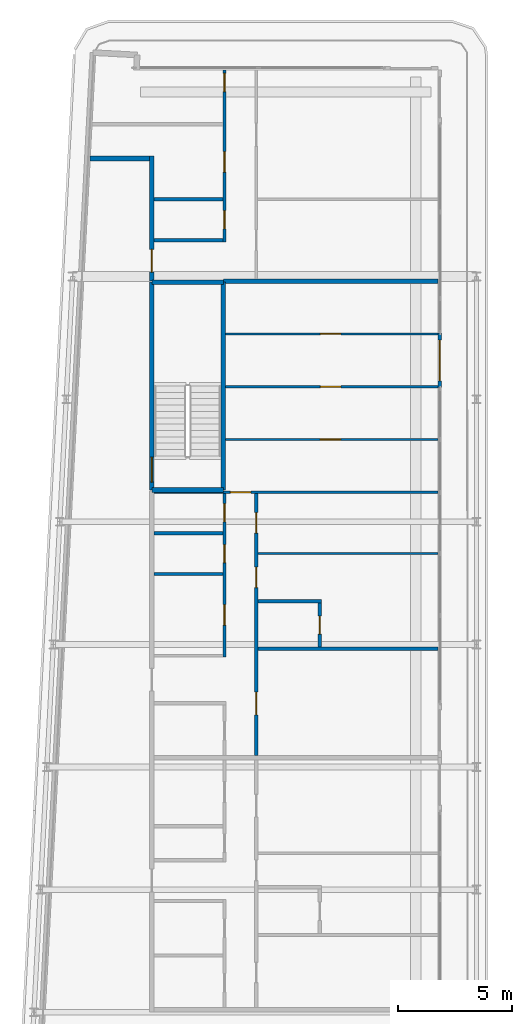
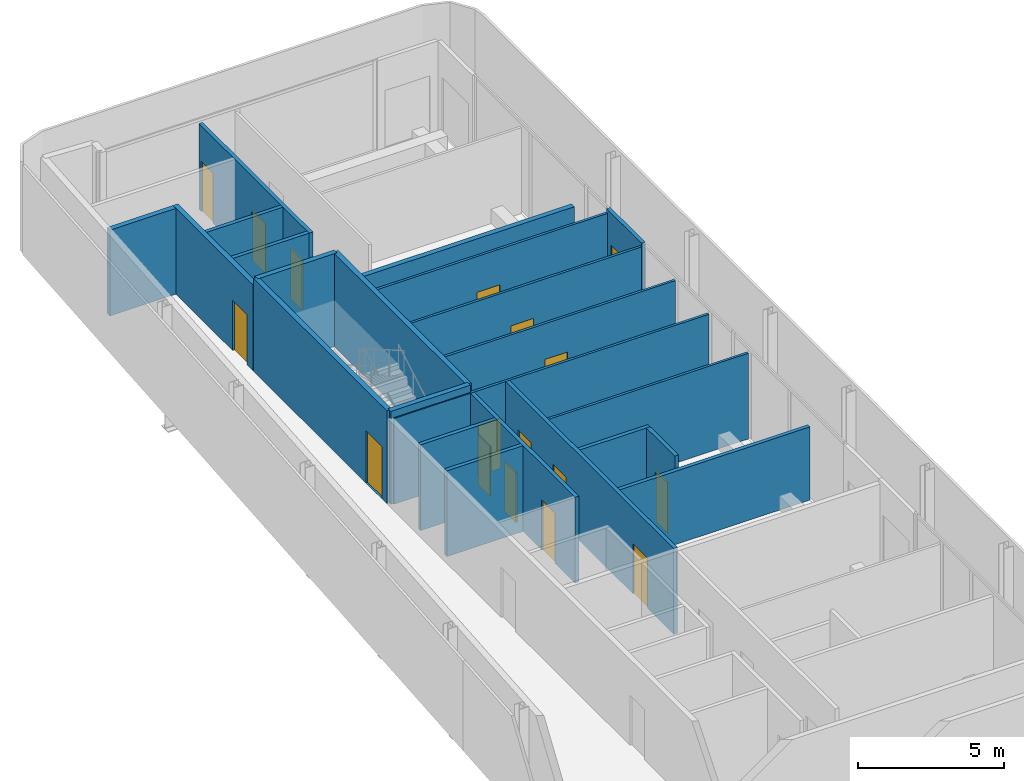
# One storey, part 11 of 18: 23 walls, 17 doors, 17 openings.
"""IFC4 building model written with IfcOpenShell, lengths in metres."""

import ifcopenshell
import ifcopenshell.guid

model = None  # the IFC model being written
_history = None  # IfcOwnerHistory: only IFC2X3 demands one
_inside = {}  # id of a spatial element -> (the spatial element, [elements in it])
_under = {}  # id of a project, library or spatial element -> (it, [spatial elements below it])
_declared = {}  # id of a project -> (the project, [libraries it declares])
_typed = {}  # id of a type object -> (the type object, [elements of that type])
_made_of = {}  # id of a material, layer set ... -> (it, [elements and type objects made of it])


def new_model(schema):
    """Start an empty IFC model of exactly this schema.

    Asked for "IFC4X3", IfcOpenShell would pick the latest addendum, in which some entities
    have other attributes; the version numbers below select the first issue.
    IFC2X3 requires an IfcOwnerHistory on every rooted entity: one is made here for all.
    """
    global model, _history
    if schema == "IFC4X3":
        model = ifcopenshell.file(schema_version=(4, 3, 0, 0))
    else:
        model = ifcopenshell.file(schema=schema)
    _inside.clear()
    _under.clear()
    _declared.clear()
    _typed.clear()
    _made_of.clear()
    _history = None
    if model.schema == "IFC2X3":
        org = make("IfcOrganization", Name="unknown")
        user = make(
            "IfcPersonAndOrganization",
            ThePerson=make("IfcPerson", FamilyName="unknown"),
            TheOrganization=org,
        )
        app = make(
            "IfcApplication",
            ApplicationDeveloper=org,
            Version="unknown",
            ApplicationFullName="unknown",
            ApplicationIdentifier="unknown",
        )
        _history = make(
            "IfcOwnerHistory",
            OwningUser=user,
            OwningApplication=app,
            ChangeAction="ADDED",
            CreationDate=0,
        )
    return model


def make(cls, **values):
    """One entity of the class cls with the attributes given. An attribute that is None is left unset."""
    return model.create_entity(
        cls, **{name: value for name, value in values.items() if value is not None}
    )


def rooted(cls, **values):
    """An entity with a GlobalId (a new one), such as an element, a storey or a relation."""
    return make(cls, GlobalId=ifcopenshell.guid.new(), OwnerHistory=_history, **values)


def si_unit(unit_type, name, prefix=None):
    """IfcSIUnit, for example si_unit("LENGTHUNIT", "METRE", prefix="MILLI")."""
    return make("IfcSIUnit", UnitType=unit_type, Prefix=prefix, Name=name)


def assignment(units):
    """IfcUnitAssignment: the units of a project."""
    return None if units is None else make("IfcUnitAssignment", Units=units)


def point(xyz):
    """IfcCartesianPoint."""
    return None if xyz is None else make("IfcCartesianPoint", Coordinates=xyz)


def direction(xyz):
    """IfcDirection."""
    return None if xyz is None else make("IfcDirection", DirectionRatios=xyz)


def frame(location, z_axis=None, x_axis=None):
    """IfcAxis2Placement3D, a coordinate frame: its origin and axes. An axis left out is left unset."""
    return make(
        "IfcAxis2Placement3D",
        Location=point(location),
        Axis=direction(z_axis),
        RefDirection=direction(x_axis),
    )


def frame_2d(location, x_axis=None):
    """IfcAxis2Placement2D, a coordinate frame in the plane: its origin and x axis."""
    return make(
        "IfcAxis2Placement2D", Location=point(location), RefDirection=direction(x_axis)
    )


def origin():
    """The frame at (0, 0, 0) with its axes left unset."""
    return frame((0.0, 0.0, 0.0))


def place(relative_to, where):
    """IfcLocalPlacement: puts the frame where relative to a parent placement (None: the world)."""
    return make(
        "IfcLocalPlacement", PlacementRelTo=relative_to, RelativePlacement=where
    )


def context(
    kind, dimensions, precision=None, world=None, true_north=None, identifier=None
):
    """IfcGeometricRepresentationContext, for example the 3D "Model" context."""
    return make(
        "IfcGeometricRepresentationContext",
        ContextIdentifier=identifier,
        ContextType=kind,
        CoordinateSpaceDimension=dimensions,
        Precision=precision,
        WorldCoordinateSystem=world,
        TrueNorth=true_north,
    )


def subcontext(parent, identifier, kind, view, scale=None):
    """IfcGeometricRepresentationSubContext, for example "Body" below "Model"."""
    return make(
        "IfcGeometricRepresentationSubContext",
        ContextIdentifier=identifier,
        ContextType=kind,
        ParentContext=parent,
        TargetScale=scale,
        TargetView=view,
    )


def project(units=None, contexts=None):
    """IfcProject with its units and contexts."""
    return rooted(
        "IfcProject",
        Name="project",
        RepresentationContexts=contexts,
        UnitsInContext=assignment(units),
    )


def spatial(cls, under=None, at=None, **own):
    """A site, building, storey or space (cls), placed at a placement, below another one or the project."""
    s = rooted(cls, ObjectPlacement=at, **own)
    if under is not None:
        _under.setdefault(under.id(), (under, []))[1].append(s)
    return s


def profile(cls, at=None, kind="AREA", **sizes):
    """A parametric profile (cls). Its sizes go by their IFC names, for example OverallWidth=200.0."""
    return make(cls, ProfileType=kind, Position=at, **sizes)


def rectangle(**sizes):
    """IfcRectangleProfileDef."""
    return profile("IfcRectangleProfileDef", **sizes)


def extrude(swept, where, along, depth):
    """IfcExtrudedAreaSolid: the profile swept, set in the frame where, extruded along a direction by depth."""
    return make(
        "IfcExtrudedAreaSolid",
        SweptArea=swept,
        Position=where,
        ExtrudedDirection=direction(along),
        Depth=depth,
    )


def shape(context_of_items, identifier, shape_type, items):
    """IfcShapeRepresentation: the items that make up one representation, for example the "Body"."""
    return make(
        "IfcShapeRepresentation",
        ContextOfItems=context_of_items,
        RepresentationIdentifier=identifier,
        RepresentationType=shape_type,
        Items=items,
    )


def source(mapping_origin, context_of_items, identifier, shape_type, items):
    """IfcRepresentationMap: a shape defined once, which mapped items show again and again."""
    return make(
        "IfcRepresentationMap",
        MappingOrigin=mapping_origin,
        MappedRepresentation=shape(context_of_items, identifier, shape_type, items),
    )


def transform(
    local_origin,
    x_axis=None,
    y_axis=None,
    z_axis=None,
    scale=None,
    scale2=None,
    scale3=None,
    uniform=True,
):
    """IfcCartesianTransformationOperator3D, or its non-uniform kind. x_axis, y_axis, z_axis: its Axis1, 2, 3."""
    if uniform:
        return make(
            "IfcCartesianTransformationOperator3D",
            Axis1=direction(x_axis),
            Axis2=direction(y_axis),
            LocalOrigin=point(local_origin),
            Scale=scale,
            Axis3=direction(z_axis),
        )
    return make(
        "IfcCartesianTransformationOperator3DnonUniform",
        Axis1=direction(x_axis),
        Axis2=direction(y_axis),
        LocalOrigin=point(local_origin),
        Scale=scale,
        Axis3=direction(z_axis),
        Scale2=scale2,
        Scale3=scale3,
    )


def mapped(mapping_source, mapping_target):
    """IfcMappedItem: shows the shape of a source again, moved by a transform."""
    return make(
        "IfcMappedItem", MappingSource=mapping_source, MappingTarget=mapping_target
    )


def material(Name=None, Category=None):
    """IfcMaterial."""
    return make("IfcMaterial", Name=Name, Category=Category)


def layer(
    of_material, thickness, ventilated=None, Name=None, Category=None, Priority=None
):
    """IfcMaterialLayer: one layer of a wall or slab, of a material (None: an air gap)."""
    return make(
        "IfcMaterialLayer",
        Material=of_material,
        LayerThickness=thickness,
        IsVentilated=ventilated,
        Name=Name,
        Category=Category,
        Priority=Priority,
    )


def layer_set(layers, Name=None):
    """IfcMaterialLayerSet."""
    return make("IfcMaterialLayerSet", MaterialLayers=layers, LayerSetName=Name)


def made_of(thing, what):
    """Note that an element or type object is made of a material, layer set ...; save() writes the relation."""
    if what is not None:
        _made_of.setdefault(what.id(), (what, []))[1].append(thing)
    return thing


def type_object(cls, material=None, **own):
    """A type object (cls), such as IfcWallType, which elements share."""
    return made_of(rooted(cls, **own), material)


def element(
    cls,
    number,
    at=None,
    inside=None,
    cuts=None,
    type_object=None,
    material=None,
    context=None,
    identifier="Body",
    shape_type=None,
    held_by="IfcProductDefinitionShape",
    body=None,
    shapes=None,
    **own,
):
    """One element of the class cls, such as IfcWall. Its Tag is "e" and its number.

    at: its placement. inside: the storey or other place that contains it. cuts: it is an
    opening in that element (IfcRelVoidsElement). A single representation is given by context,
    identifier, shape_type and body (its items); several are given by shapes. held_by: the class
    of the entity that holds the representations. save() writes the other relations.
    """
    e = rooted(cls, Tag="e%d" % number, ObjectPlacement=at, **own)
    if body is not None:
        shapes = [shape(context, identifier, shape_type, body)]
    if shapes is not None:
        e.Representation = make(held_by, Representations=shapes)
    if inside is not None:
        _inside.setdefault(inside.id(), (inside, []))[1].append(e)
    if cuts is not None:
        rooted(
            "IfcRelVoidsElement", RelatingBuildingElement=cuts, RelatedOpeningElement=e
        )
    if type_object is not None:
        _typed.setdefault(type_object.id(), (type_object, []))[1].append(e)
    return made_of(e, material)


def fill(opening, filler):
    """IfcRelFillsElement: the door or window that sits in an opening."""
    return rooted(
        "IfcRelFillsElement",
        RelatingOpeningElement=opening,
        RelatedBuildingElement=filler,
    )


def aggregate(whole, parts):
    """IfcRelAggregates: a whole, such as a stair, and the parts it consists of."""
    return rooted("IfcRelAggregates", RelatingObject=whole, RelatedObjects=parts)


def save(model, path):
    """Write the relations noted so far, then the file.

    IfcRelAggregates (storeys below a building ...), IfcRelContainedInSpatialStructure (elements
    in a storey), IfcRelDefinesByType, IfcRelAssociatesMaterial and IfcRelDeclares: one each for
    every whole, place, type object, material and project.
    """
    for whole, parts in _under.values():
        aggregate(whole, parts)
    for where, things in _inside.values():
        rooted(
            "IfcRelContainedInSpatialStructure",
            RelatedElements=things,
            RelatingStructure=where,
        )
    for kind, things in _typed.values():
        rooted("IfcRelDefinesByType", RelatedObjects=things, RelatingType=kind)
    for what, things in _made_of.values():
        rooted("IfcRelAssociatesMaterial", RelatedObjects=things, RelatingMaterial=what)
    for by, libraries in _declared.values():
        rooted("IfcRelDeclares", RelatingContext=by, RelatedDefinitions=libraries)
    model.write(path)


model = new_model("IFC4")

# Units and contexts
model_context = context("Model", 3, precision=1e-05, world=origin(), true_north=direction((0.0, 1.0)))
body_context = subcontext(model_context, "Body", "Model", "MODEL_VIEW")
ifc_project = project(units=[si_unit("LENGTHUNIT", "METRE"), si_unit("AREAUNIT", "SQUARE_METRE"), si_unit("VOLUMEUNIT", "CUBIC_METRE"), si_unit("PLANEANGLEUNIT", "RADIAN"), si_unit("MASSUNIT", "GRAM", prefix="KILO")], contexts=[model_context])

# Site, building, storey
site_placement = place(None, origin())
site = spatial("IfcSite", under=ifc_project, at=site_placement, CompositionType="ELEMENT")
building_placement = place(site_placement, origin())
building = spatial("IfcBuilding", under=site, at=building_placement, Name="Kheshtan School and Residences Tower", CompositionType="ELEMENT")
storey_placement = place(building_placement, frame((0.0, 0.0, 377.300048828125)))
storey = spatial("IfcBuildingStorey", under=building, at=storey_placement, Name="L89", CompositionType="ELEMENT", Elevation=377.300048828125)

# Wall
ifc_material_1 = material(Name="Gypsum board on steel studs with fire boards", Category="steel")
ifc_layer_1 = layer(ifc_material_1, 0.199951171875)
ifc_layer_set_1 = layer_set([ifc_layer_1], Name="Corridor wall 200")
wall_type_1 = type_object("IfcWallType", Name="Corridor wall 200", PredefinedType="PARTITIONING", material=ifc_layer_set_1)
wall_1_placement = place(storey_placement, frame((30.584716796875, 94.0, 0.0), z_axis=(0.0, 0.0, 1.0), x_axis=(1.0, 0.0, 0.0)))
element("IfcWall", 1, at=wall_1_placement, inside=storey, type_object=wall_type_1, Name="Partition L89-002", PredefinedType="PARTITIONING", context=body_context, shape_type="SweptSolid", body=[
    extrude(rectangle(XDim=2.615234375, YDim=0.199951171875, at=frame_2d((1.3076171875, 0.0))), origin(), (0.0, 0.0, 1.0), 3.599853515625),
])

# Wall, opening, door
wall_2_placement = place(storey_placement, frame((33.300048828125, 88.60009765625, 0.0), z_axis=(0.0, 0.0, 1.0), x_axis=(0.0, 1.0, 0.0)))
wall_2 = element("IfcWall", 2, at=wall_2_placement, inside=storey, type_object=wall_type_1, Name="Partition L89-004", PredefinedType="PARTITIONING", context=body_context, shape_type="SweptSolid", body=[
    extrude(rectangle(XDim=5.5, YDim=0.199951171875, at=frame_2d((2.75, 0.0))), origin(), (0.0, 0.0, 1.0), 3.599853515625),
])
opening_1_placement = place(wall_2_placement, frame((0.39990234375, 0.0, 0.0)))
opening_1 = element("IfcOpeningElement", 3, at=opening_1_placement, cuts=wall_2, Name="Opening D87-025", PredefinedType="OPENING", context=body_context, shape_type="SweptSolid", body=[
    extrude(rectangle(XDim=1.0, YDim=2.10009765625, at=frame_2d((0.5, 1.050048828125))), frame((0.0, 0.10986328125, 0.0), z_axis=(0.0, -1.0, 0.0), x_axis=(1.0, 0.0, 0.0)), (0.0, 0.0, 1.0), 0.219970703125),
])
ifc_material_2 = material(Name="Steel-framed fire-resisting door leaf", Category="steel")
door_type_1 = type_object("IfcDoorType", Name="Fire door FD30S 1000 x 2100", OperationType="SINGLE_SWING_LEFT", PredefinedType="DOOR", material=ifc_material_2)
shared_shape_1 = source(origin(), body_context, "Body", "SweptSolid", [
    extrude(rectangle(XDim=1.0, YDim=2.10009765625, at=frame_2d((0.5, 1.050048828125))), frame((0.0, 0.02490234375, 0.0), z_axis=(0.0, -1.0, 0.0), x_axis=(1.0, 0.0, 0.0)), (0.0, 0.0, 1.0), 0.050048828125),
])
door_1_placement = place(opening_1_placement, origin())
door_1 = element("IfcDoor", 4, at=door_1_placement, inside=storey, type_object=door_type_1, Name="Door D87-025", OperationType="SINGLE_SWING_LEFT", OverallHeight=2.10009765625, OverallWidth=1.0, PredefinedType="DOOR", context=body_context, shape_type="MappedRepresentation", body=[
    mapped(shared_shape_1, transform((0.0, 0.0, 0.0), x_axis=(1.0, 0.0, 0.0), y_axis=(0.0, 1.0, 0.0), z_axis=(0.0, 0.0, 1.0), scale=1.0)),
])
fill(opening_1, door_1)

ifc_material_3 = material(Name="Aluminium frame wall with insulated infill", Category="aluminium")
ifc_layer_2 = layer(ifc_material_3, 0.14990234375)
ifc_layer_set_2 = layer_set([ifc_layer_2], Name="Glazing frame wall 150")
wall_type_2 = type_object("IfcWallType", Name="Glazing frame wall 150", PredefinedType="SOLIDWALL", material=ifc_layer_set_2)
wall_3_placement = place(storey_placement, frame((45.97509765625, 86.305908203125, 0.0), z_axis=(0.0, 0.0, 1.0), x_axis=(0.0, -1.0, 0.0)))
wall_3 = element("IfcWall", 5, at=wall_3_placement, inside=storey, type_object=wall_type_2, Name="Balcony door wall L89 8.2", PredefinedType="SOLIDWALL", context=body_context, shape_type="SweptSolid", body=[
    extrude(rectangle(XDim=2.39990234375, YDim=0.14990234375, at=frame_2d((1.199951171875, 0.0))), origin(), (0.0, 0.0, 1.0), 3.75),
])
opening_2_placement = place(wall_3_placement, frame((0.300048828125, 0.0, 0.0)))
opening_2 = element("IfcOpeningElement", 6, at=opening_2_placement, cuts=wall_3, Name="Opening BD", PredefinedType="OPENING", context=body_context, shape_type="SweptSolid", body=[
    extrude(rectangle(XDim=1.800048828125, YDim=2.39990234375, at=frame_2d((0.89990234375, 1.199951171875))), frame((0.0, 0.0849609375, 0.0), z_axis=(0.0, -1.0, 0.0), x_axis=(1.0, 0.0, 0.0)), (0.0, 0.0, 1.0), 0.169921875),
])
ifc_material_4 = material(Name="Clear low-e glass in thermally broken aluminium frame", Category="aluminium")
door_type_2 = type_object("IfcDoorType", Name="Balcony sliding door", OperationType="SLIDING_TO_LEFT", PredefinedType="DOOR", material=ifc_material_4)
shared_shape_2 = source(origin(), body_context, "Body", "SweptSolid", [
    extrude(rectangle(XDim=1.800048828125, YDim=2.39990234375, at=frame_2d((0.89990234375, 1.199951171875))), frame((0.0, 0.02490234375, 0.0), z_axis=(0.0, -1.0, 0.0), x_axis=(1.0, 0.0, 0.0)), (0.0, 0.0, 1.0), 0.050048828125),
])
door_2_placement = place(opening_2_placement, origin())
door_2 = element("IfcDoor", 7, at=door_2_placement, inside=storey, type_object=door_type_2, Name="Balcony door L89 8.2", OperationType="SLIDING_TO_LEFT", OverallHeight=2.39990234375, OverallWidth=1.800048828125, PredefinedType="DOOR", context=body_context, shape_type="MappedRepresentation", body=[
    mapped(shared_shape_2, transform((0.0, 0.0, 0.0), x_axis=(1.0, 0.0, 0.0), y_axis=(0.0, 1.0, 0.0), z_axis=(0.0, 0.0, 1.0), scale=1.0)),
])
fill(opening_2, door_2)

ifc_material_5 = material(Name="Gypsum board on steel studs", Category="steel")
ifc_layer_3 = layer(ifc_material_5, 0.10009765625)
ifc_layer_set_3 = layer_set([ifc_layer_3], Name="Gypsum partition 100")
wall_type_3 = type_object("IfcWallType", Name="Gypsum partition 100", PredefinedType="PARTITIONING", material=ifc_layer_set_3)
wall_4_placement = place(storey_placement, frame((33.39990234375, 79.300048828125, 0.0), z_axis=(0.0, 0.0, 1.0), x_axis=(1.0, 0.0, 0.0)))
wall_4 = element("IfcWall", 8, at=wall_4_placement, inside=storey, type_object=wall_type_3, Name="Partition L89-015", PredefinedType="PARTITIONING", context=body_context, shape_type="SweptSolid", body=[
    extrude(rectangle(XDim=12.5, YDim=0.10009765625, at=frame_2d((6.25, 0.0))), origin(), (0.0, 0.0, 1.0), 3.599853515625),
])
opening_3_placement = place(wall_4_placement, frame((3.35498046875, 0.0, 0.0)))
opening_3 = element("IfcOpeningElement", 9, at=opening_3_placement, cuts=wall_4, Name="Opening D87-019", PredefinedType="OPENING", context=body_context, shape_type="SweptSolid", body=[
    extrude(rectangle(XDim=0.89990234375, YDim=2.10009765625, at=frame_2d((0.449951171875, 1.050048828125))), frame((0.0, 0.06005859375, 0.0), z_axis=(0.0, -1.0, 0.0), x_axis=(1.0, 0.0, 0.0)), (0.0, 0.0, 1.0), 0.1201171875),
])
ifc_material_6 = material(Name="Veneered timber door leaf", Category="wood")
door_type_3 = type_object("IfcDoorType", Name="Door 900 x 2100", OperationType="SINGLE_SWING_LEFT", PredefinedType="DOOR", material=ifc_material_6)
shared_shape_3 = source(origin(), body_context, "Body", "SweptSolid", [
    extrude(rectangle(XDim=0.89990234375, YDim=2.10009765625, at=frame_2d((0.449951171875, 1.050048828125))), frame((0.0, 0.02490234375, 0.0), z_axis=(0.0, -1.0, 0.0), x_axis=(1.0, 0.0, 0.0)), (0.0, 0.0, 1.0), 0.050048828125),
])
door_3_placement = place(opening_3_placement, origin())
door_3 = element("IfcDoor", 10, at=door_3_placement, inside=storey, type_object=door_type_3, Name="Door D87-019", OperationType="SINGLE_SWING_LEFT", OverallHeight=2.10009765625, OverallWidth=0.89990234375, PredefinedType="DOOR", context=body_context, shape_type="MappedRepresentation", body=[
    mapped(shared_shape_3, transform((0.0, 0.0, 0.0), x_axis=(1.0, 0.0, 0.0), y_axis=(0.0, 1.0, 0.0), z_axis=(0.0, 0.0, 1.0), scale=1.0)),
])
fill(opening_3, door_3)

wall_5_placement = place(storey_placement, frame((36.549072265625, 81.625, 0.0), z_axis=(0.0, 0.0, 1.0), x_axis=(1.0, 0.0, 0.0)))
wall_5 = element("IfcWall", 11, at=wall_5_placement, inside=storey, type_object=wall_type_3, Name="Partition L89-025", PredefinedType="PARTITIONING", context=body_context, shape_type="SweptSolid", body=[
    extrude(rectangle(XDim=9.350830078125, YDim=0.10009765625, at=frame_2d((4.67529296875, 0.0))), origin(), (0.0, 0.0, 1.0), 3.599853515625),
])
opening_4_placement = place(wall_5_placement, frame((4.176025390625, 0.0, 0.0)))
opening_4 = element("IfcOpeningElement", 12, at=opening_4_placement, cuts=wall_5, Name="Opening D87-020", PredefinedType="OPENING", context=body_context, shape_type="SweptSolid", body=[
    extrude(rectangle(XDim=0.89990234375, YDim=2.10009765625, at=frame_2d((0.449951171875, 1.050048828125))), frame((0.0, 0.06005859375, 0.0), z_axis=(0.0, -1.0, 0.0), x_axis=(1.0, 0.0, 0.0)), (0.0, 0.0, 1.0), 0.1201171875),
])
door_4_placement = place(opening_4_placement, origin())
door_4 = element("IfcDoor", 13, at=door_4_placement, inside=storey, type_object=door_type_3, Name="Door D87-020", OperationType="SINGLE_SWING_RIGHT", OverallHeight=2.10009765625, OverallWidth=0.89990234375, PredefinedType="DOOR", context=body_context, shape_type="MappedRepresentation", body=[
    mapped(shared_shape_3, transform((0.0, 0.0, 0.0), x_axis=(1.0, 0.0, 0.0), y_axis=(0.0, 1.0, 0.0), z_axis=(0.0, 0.0, 1.0), scale=1.0)),
])
fill(opening_4, door_4)

wall_6_placement = place(storey_placement, frame((36.549072265625, 83.949951171875, 0.0), z_axis=(0.0, 0.0, 1.0), x_axis=(1.0, 0.0, 0.0)))
wall_6 = element("IfcWall", 14, at=wall_6_placement, inside=storey, type_object=wall_type_3, Name="Partition L89-026", PredefinedType="PARTITIONING", context=body_context, shape_type="SweptSolid", body=[
    extrude(rectangle(XDim=9.350830078125, YDim=0.10009765625, at=frame_2d((4.67529296875, 0.0))), origin(), (0.0, 0.0, 1.0), 3.599853515625),
])
opening_5_placement = place(wall_6_placement, frame((4.176025390625, 0.0, 0.0)))
opening_5 = element("IfcOpeningElement", 15, at=opening_5_placement, cuts=wall_6, Name="Opening D87-021", PredefinedType="OPENING", context=body_context, shape_type="SweptSolid", body=[
    extrude(rectangle(XDim=0.89990234375, YDim=2.10009765625, at=frame_2d((0.449951171875, 1.050048828125))), frame((0.0, 0.06005859375, 0.0), z_axis=(0.0, -1.0, 0.0), x_axis=(1.0, 0.0, 0.0)), (0.0, 0.0, 1.0), 0.1201171875),
])
door_5_placement = place(opening_5_placement, origin())
door_5 = element("IfcDoor", 16, at=door_5_placement, inside=storey, type_object=door_type_3, Name="Door D87-021", OperationType="SINGLE_SWING_RIGHT", OverallHeight=2.10009765625, OverallWidth=0.89990234375, PredefinedType="DOOR", context=body_context, shape_type="MappedRepresentation", body=[
    mapped(shared_shape_3, transform((0.0, 0.0, 0.0), x_axis=(1.0, 0.0, 0.0), y_axis=(0.0, 1.0, 0.0), z_axis=(0.0, 0.0, 1.0), scale=1.0)),
])
fill(opening_5, door_5)

wall_7_placement = place(storey_placement, frame((36.549072265625, 86.27490234375, 0.0), z_axis=(0.0, 0.0, 1.0), x_axis=(1.0, 0.0, 0.0)))
wall_7 = element("IfcWall", 17, at=wall_7_placement, inside=storey, type_object=wall_type_3, Name="Partition L89-027", PredefinedType="PARTITIONING", context=body_context, shape_type="SweptSolid", body=[
    extrude(rectangle(XDim=9.350830078125, YDim=0.10009765625, at=frame_2d((4.67529296875, 0.0))), origin(), (0.0, 0.0, 1.0), 3.599853515625),
])
opening_6_placement = place(wall_7_placement, frame((4.176025390625, 0.0, 0.0)))
opening_6 = element("IfcOpeningElement", 18, at=opening_6_placement, cuts=wall_7, Name="Opening D87-022", PredefinedType="OPENING", context=body_context, shape_type="SweptSolid", body=[
    extrude(rectangle(XDim=0.89990234375, YDim=2.10009765625, at=frame_2d((0.449951171875, 1.050048828125))), frame((0.0, 0.06005859375, 0.0), z_axis=(0.0, -1.0, 0.0), x_axis=(1.0, 0.0, 0.0)), (0.0, 0.0, 1.0), 0.1201171875),
])
door_6_placement = place(opening_6_placement, origin())
door_6 = element("IfcDoor", 19, at=door_6_placement, inside=storey, type_object=door_type_3, Name="Door D87-022", OperationType="SINGLE_SWING_RIGHT", OverallHeight=2.10009765625, OverallWidth=0.89990234375, PredefinedType="DOOR", context=body_context, shape_type="MappedRepresentation", body=[
    mapped(shared_shape_3, transform((0.0, 0.0, 0.0), x_axis=(1.0, 0.0, 0.0), y_axis=(0.0, 1.0, 0.0), z_axis=(0.0, 0.0, 1.0), scale=1.0)),
])
fill(opening_6, door_6)

# Walls
wall_8_placement = place(storey_placement, frame((37.97509765625, 76.60009765625, 0.0), z_axis=(0.0, 0.0, 1.0), x_axis=(1.0, 0.0, 0.0)))
element("IfcWall", 20, at=wall_8_placement, inside=storey, type_object=wall_type_3, Name="Partition L89-037", PredefinedType="PARTITIONING", context=body_context, shape_type="SweptSolid", body=[
    extrude(rectangle(XDim=7.9248046875, YDim=0.10009765625, at=frame_2d((3.96240234375, 0.0))), origin(), (0.0, 0.0, 1.0), 3.599853515625),
])
ifc_material_7 = material(Name="Concrete C40/50", Category="concrete")
ifc_layer_4 = layer(ifc_material_7, 0.199951171875)
ifc_layer_set_4 = layer_set([ifc_layer_4], Name="Stair enclosure wall 200 Concrete C40/50")
wall_type_4 = type_object("IfcWallType", Name="Stair enclosure wall 200 Concrete C40/50", PredefinedType="SHEAR", material=ifc_layer_set_4)
for number, where, z_axis, x_axis, name in (
    (21, (33.300048828125, 79.39990234375, 0.0), (0.0, 0.0, 1.0), (1.0, 0.0, 0.0), "Stair enclosure wall ST3"),
    (22, (33.300048828125, 88.56005859375, 0.0), (0.0, 0.0, 1.0), (1.0, 0.0, 0.0), "Stair enclosure wall ST3"),
):
    element("IfcWall", number, at=place(storey_placement, frame(where, z_axis=z_axis, x_axis=x_axis)), inside=storey, type_object=wall_type_4, Name=name, PredefinedType="SHEAR", context=body_context, shape_type="SweptSolid", body=[
        extrude(rectangle(XDim=3.14990234375, YDim=0.199951171875, at=frame_2d((1.574951171875, 0.0))), origin(), (0.0, 0.0, 1.0), 3.89990234375),
    ])

# Wall, opening, door
wall_9_placement = place(storey_placement, frame((33.300048828125, 79.39990234375, 0.0), z_axis=(0.0, 0.0, 1.0), x_axis=(0.0, 1.0, 0.0)))
wall_9 = element("IfcWall", 23, at=wall_9_placement, inside=storey, type_object=wall_type_4, Name="Stair enclosure wall ST3", PredefinedType="SHEAR", context=body_context, shape_type="SweptSolid", body=[
    extrude(rectangle(XDim=9.16015625, YDim=0.199951171875, at=frame_2d((4.580078125, 0.0))), origin(), (0.0, 0.0, 1.0), 3.89990234375),
])
opening_7_placement = place(wall_9_placement, frame((0.35009765625, 0.0, 0.0)))
opening_7 = element("IfcOpeningElement", 24, at=opening_7_placement, cuts=wall_9, Name="Opening ST3D", PredefinedType="OPENING", context=body_context, shape_type="SweptSolid", body=[
    extrude(rectangle(XDim=1.10009765625, YDim=2.199951171875, at=frame_2d((0.550048828125, 1.10009765625))), frame((0.0, 0.10986328125, 0.0), z_axis=(0.0, -1.0, 0.0), x_axis=(1.0, 0.0, 0.0)), (0.0, 0.0, 1.0), 0.219970703125),
])
ifc_material_8 = material(Name="Steel door leaf, galvanised", Category="steel")
door_type_4 = type_object("IfcDoorType", Name="Stair door 1100 steel 90 min", OperationType="SINGLE_SWING_LEFT", PredefinedType="DOOR", material=ifc_material_8)
shared_shape_4 = source(origin(), body_context, "Body", "SweptSolid", [
    extrude(rectangle(XDim=1.10009765625, YDim=2.199951171875, at=frame_2d((0.550048828125, 1.10009765625))), frame((0.0, 0.02490234375, 0.0), z_axis=(0.0, -1.0, 0.0), x_axis=(1.0, 0.0, 0.0)), (0.0, 0.0, 1.0), 0.050048828125),
])
door_7_placement = place(opening_7_placement, origin())
door_7 = element("IfcDoor", 25, at=door_7_placement, inside=storey, type_object=door_type_4, Name="Stair ST3 door", OperationType="SINGLE_SWING_RIGHT", OverallHeight=2.199951171875, OverallWidth=1.10009765625, PredefinedType="DOOR", context=body_context, shape_type="MappedRepresentation", body=[
    mapped(shared_shape_4, transform((0.0, 0.0, 0.0), x_axis=(1.0, 0.0, 0.0), y_axis=(0.0, 1.0, 0.0), z_axis=(0.0, 0.0, 1.0), scale=1.0)),
])
fill(opening_7, door_7)

# Walls
wall_10_placement = place(storey_placement, frame((36.449951171875, 79.39990234375, 0.0), z_axis=(0.0, 0.0, 1.0), x_axis=(0.0, 1.0, 0.0)))
element("IfcWall", 26, at=wall_10_placement, inside=storey, type_object=wall_type_4, Name="Stair enclosure wall ST3", PredefinedType="SHEAR", context=body_context, shape_type="SweptSolid", body=[
    extrude(rectangle(XDim=9.16015625, YDim=0.199951171875, at=frame_2d((4.580078125, 0.0))), origin(), (0.0, 0.0, 1.0), 3.89990234375),
])
ifc_material_9 = material(Name="Twin gypsum board on steel studs with mineral wool", Category="steel")
ifc_layer_5 = layer(ifc_material_9, 0.199951171875)
ifc_layer_set_5 = layer_set([ifc_layer_5], Name="Unit demising wall 200")
wall_type_5 = type_object("IfcWallType", Name="Unit demising wall 200", PredefinedType="PARTITIONING", material=ifc_layer_set_5)
wall_11_placement = place(storey_placement, frame((36.449951171875, 88.60009765625, 0.0), z_axis=(0.0, 0.0, 1.0), x_axis=(1.0, 0.0, 0.0)))
element("IfcWall", 27, at=wall_11_placement, inside=storey, type_object=wall_type_5, Name="Partition L89-023", PredefinedType="PARTITIONING", context=body_context, shape_type="SweptSolid", body=[
    extrude(rectangle(XDim=9.449951171875, YDim=0.199951171875, at=frame_2d((4.72509765625, 0.0))), origin(), (0.0, 0.0, 1.0), 2.5),
])
ifc_material_10 = material(Name="Moisture-resistant gypsum board on steel studs", Category="steel")
ifc_layer_6 = layer(ifc_material_10, 0.14990234375)
ifc_layer_set_6 = layer_set([ifc_layer_6], Name="Wet-room partition 150")
wall_type_6 = type_object("IfcWallType", Name="Wet-room partition 150", PredefinedType="PARTITIONING", material=ifc_layer_set_6)
for number, where, z_axis, x_axis, name in (
    (28, (33.39990234375, 75.699951171875, 0.0), (0.0, 0.0, 1.0), (1.0, 0.0, 0.0), "Partition L89-013"),
    (29, (33.39990234375, 77.5, 0.0), (0.0, 0.0, 1.0), (1.0, 0.0, 0.0), "Partition L89-014"),
    (30, (33.39990234375, 90.39990234375, 0.0), (0.0, 0.0, 1.0), (1.0, 0.0, 0.0), "Partition L89-016"),
    (31, (33.39990234375, 92.199951171875, 0.0), (0.0, 0.0, 1.0), (1.0, 0.0, 0.0), "Partition L89-017"),
):
    element("IfcWall", number, at=place(storey_placement, frame(where, z_axis=z_axis, x_axis=x_axis)), inside=storey, type_object=wall_type_6, Name=name, PredefinedType="PARTITIONING", context=body_context, shape_type="SweptSolid", body=[
        extrude(rectangle(XDim=3.025146484375, YDim=0.14990234375, at=frame_2d((1.5126953125, 0.0))), origin(), (0.0, 0.0, 1.0), 3.599853515625),
    ])

# Wall, openings, doors
wall_12_placement = place(storey_placement, frame((36.5, 72.050048828125, 0.0), z_axis=(0.0, 0.0, 1.0), x_axis=(0.0, 1.0, 0.0)))
wall_12 = element("IfcWall", 32, at=wall_12_placement, inside=storey, type_object=wall_type_6, Name="Partition L89-022", PredefinedType="PARTITIONING", context=body_context, shape_type="SweptSolid", body=[
    extrude(rectangle(XDim=7.199951171875, YDim=0.14990234375, at=frame_2d((3.60009765625, 0.0))), origin(), (0.0, 0.0, 1.0), 3.599853515625),
])
opening_8_placement = place(wall_12_placement, frame((1.39990234375, 0.0, 0.0)))
opening_8 = element("IfcOpeningElement", 33, at=opening_8_placement, cuts=wall_12, Name="Opening D87-014", PredefinedType="OPENING", context=body_context, shape_type="SweptSolid", body=[
    extrude(rectangle(XDim=0.89990234375, YDim=2.10009765625, at=frame_2d((0.449951171875, 1.050048828125))), frame((0.0, 0.0849609375, 0.0), z_axis=(0.0, -1.0, 0.0), x_axis=(1.0, 0.0, 0.0)), (0.0, 0.0, 1.0), 0.169921875),
])
opening_9_placement = place(wall_12_placement, frame((5.949951171875, 0.0, 0.0)))
opening_9 = element("IfcOpeningElement", 34, at=opening_9_placement, cuts=wall_12, Name="Opening D87-017", PredefinedType="OPENING", context=body_context, shape_type="SweptSolid", body=[
    extrude(rectangle(XDim=0.800048828125, YDim=2.10009765625, at=frame_2d((0.39990234375, 1.050048828125))), frame((0.0, 0.0849609375, 0.0), z_axis=(0.0, -1.0, 0.0), x_axis=(1.0, 0.0, 0.0)), (0.0, 0.0, 1.0), 0.169921875),
])
opening_10_placement = place(wall_12_placement, frame((4.14990234375, 0.0, 0.0)))
opening_10 = element("IfcOpeningElement", 35, at=opening_10_placement, cuts=wall_12, Name="Opening D87-018", PredefinedType="OPENING", context=body_context, shape_type="SweptSolid", body=[
    extrude(rectangle(XDim=0.800048828125, YDim=2.10009765625, at=frame_2d((0.39990234375, 1.050048828125))), frame((0.0, 0.0849609375, 0.0), z_axis=(0.0, -1.0, 0.0), x_axis=(1.0, 0.0, 0.0)), (0.0, 0.0, 1.0), 0.169921875),
])
door_type_5 = type_object("IfcDoorType", Name="Door 800 x 2100", OperationType="SINGLE_SWING_LEFT", PredefinedType="DOOR", material=ifc_material_6)
shared_shape_5 = source(origin(), body_context, "Body", "SweptSolid", [
    extrude(rectangle(XDim=0.800048828125, YDim=2.10009765625, at=frame_2d((0.39990234375, 1.050048828125))), frame((0.0, 0.02490234375, 0.0), z_axis=(0.0, -1.0, 0.0), x_axis=(1.0, 0.0, 0.0)), (0.0, 0.0, 1.0), 0.050048828125),
])
door_8_placement = place(opening_9_placement, origin())
door_8 = element("IfcDoor", 36, at=door_8_placement, inside=storey, type_object=door_type_5, Name="Door D87-017", OperationType="SINGLE_SWING_RIGHT", OverallHeight=2.10009765625, OverallWidth=0.800048828125, PredefinedType="DOOR", context=body_context, shape_type="MappedRepresentation", body=[
    mapped(shared_shape_5, transform((0.0, 0.0, 0.0), x_axis=(1.0, 0.0, 0.0), y_axis=(0.0, 1.0, 0.0), z_axis=(0.0, 0.0, 1.0), scale=1.0)),
])
fill(opening_9, door_8)
door_9_placement = place(opening_10_placement, origin())
door_9 = element("IfcDoor", 37, at=door_9_placement, inside=storey, type_object=door_type_5, Name="Door D87-018", OperationType="SINGLE_SWING_RIGHT", OverallHeight=2.10009765625, OverallWidth=0.800048828125, PredefinedType="DOOR", context=body_context, shape_type="MappedRepresentation", body=[
    mapped(shared_shape_5, transform((0.0, 0.0, 0.0), x_axis=(1.0, 0.0, 0.0), y_axis=(0.0, 1.0, 0.0), z_axis=(0.0, 0.0, 1.0), scale=1.0)),
])
fill(opening_10, door_9)
door_10_placement = place(opening_8_placement, origin())
door_10 = element("IfcDoor", 38, at=door_10_placement, inside=storey, type_object=door_type_3, Name="Door D87-014", OperationType="SINGLE_SWING_RIGHT", OverallHeight=2.10009765625, OverallWidth=0.89990234375, PredefinedType="DOOR", context=body_context, shape_type="MappedRepresentation", body=[
    mapped(shared_shape_3, transform((0.0, 0.0, 0.0), x_axis=(1.0, 0.0, 0.0), y_axis=(0.0, 1.0, 0.0), z_axis=(0.0, 0.0, 1.0), scale=1.0)),
])
fill(opening_8, door_10)

wall_13_placement = place(storey_placement, frame((36.5, 90.324951171875, 0.0), z_axis=(0.0, 0.0, 1.0), x_axis=(0.0, 1.0, 0.0)))
wall_13 = element("IfcWall", 39, at=wall_13_placement, inside=storey, type_object=wall_type_6, Name="Partition L89-024", PredefinedType="PARTITIONING", context=body_context, shape_type="SweptSolid", body=[
    extrude(rectangle(XDim=7.574951171875, YDim=0.14990234375, at=frame_2d((3.78759765625, 0.0))), origin(), (0.0, 0.0, 1.0), 3.599853515625),
])
opening_11_placement = place(wall_13_placement, frame((6.625, 0.0, 0.0)))
opening_11 = element("IfcOpeningElement", 40, at=opening_11_placement, cuts=wall_13, Name="Opening D87-023", PredefinedType="OPENING", context=body_context, shape_type="SweptSolid", body=[
    extrude(rectangle(XDim=0.800048828125, YDim=2.10009765625, at=frame_2d((0.39990234375, 1.050048828125))), frame((0.0, 0.0849609375, 0.0), z_axis=(0.0, -1.0, 0.0), x_axis=(1.0, 0.0, 0.0)), (0.0, 0.0, 1.0), 0.169921875),
])
opening_12_placement = place(wall_13_placement, frame((3.074951171875, 0.0, 0.0)))
opening_12 = element("IfcOpeningElement", 41, at=opening_12_placement, cuts=wall_13, Name="Opening D87-026", PredefinedType="OPENING", context=body_context, shape_type="SweptSolid", body=[
    extrude(rectangle(XDim=0.89990234375, YDim=2.10009765625, at=frame_2d((0.449951171875, 1.050048828125))), frame((0.0, 0.0849609375, 0.0), z_axis=(0.0, -1.0, 0.0), x_axis=(1.0, 0.0, 0.0)), (0.0, 0.0, 1.0), 0.169921875),
])
opening_13_placement = place(wall_13_placement, frame((0.574951171875, 0.0, 0.0)))
opening_13 = element("IfcOpeningElement", 42, at=opening_13_placement, cuts=wall_13, Name="Opening D87-028", PredefinedType="OPENING", context=body_context, shape_type="SweptSolid", body=[
    extrude(rectangle(XDim=0.800048828125, YDim=2.10009765625, at=frame_2d((0.39990234375, 1.050048828125))), frame((0.0, 0.0849609375, 0.0), z_axis=(0.0, -1.0, 0.0), x_axis=(1.0, 0.0, 0.0)), (0.0, 0.0, 1.0), 0.169921875),
])
door_11_placement = place(opening_11_placement, origin())
door_11 = element("IfcDoor", 43, at=door_11_placement, inside=storey, type_object=door_type_5, Name="Door D87-023", OperationType="SINGLE_SWING_LEFT", OverallHeight=2.10009765625, OverallWidth=0.800048828125, PredefinedType="DOOR", context=body_context, shape_type="MappedRepresentation", body=[
    mapped(shared_shape_5, transform((0.0, 0.0, 0.0), x_axis=(1.0, 0.0, 0.0), y_axis=(0.0, 1.0, 0.0), z_axis=(0.0, 0.0, 1.0), scale=1.0)),
])
fill(opening_11, door_11)
door_12_placement = place(opening_13_placement, origin())
door_12 = element("IfcDoor", 44, at=door_12_placement, inside=storey, type_object=door_type_5, Name="Door D87-028", OperationType="SINGLE_SWING_RIGHT", OverallHeight=2.10009765625, OverallWidth=0.800048828125, PredefinedType="DOOR", context=body_context, shape_type="MappedRepresentation", body=[
    mapped(shared_shape_5, transform((0.0, 0.0, 0.0), x_axis=(1.0, 0.0, 0.0), y_axis=(0.0, 1.0, 0.0), z_axis=(0.0, 0.0, 1.0), scale=1.0)),
])
fill(opening_13, door_12)
door_13_placement = place(opening_12_placement, origin())
door_13 = element("IfcDoor", 45, at=door_13_placement, inside=storey, type_object=door_type_3, Name="Door D87-026", OperationType="SINGLE_SWING_LEFT", OverallHeight=2.10009765625, OverallWidth=0.89990234375, PredefinedType="DOOR", context=body_context, shape_type="MappedRepresentation", body=[
    mapped(shared_shape_3, transform((0.0, 0.0, 0.0), x_axis=(1.0, 0.0, 0.0), y_axis=(0.0, 1.0, 0.0), z_axis=(0.0, 0.0, 1.0), scale=1.0)),
])
fill(opening_12, door_13)

wall_14_placement = place(storey_placement, frame((37.89990234375, 67.699951171875, 0.0), z_axis=(0.0, 0.0, 1.0), x_axis=(0.0, 1.0, 0.0)))
wall_14 = element("IfcWall", 46, at=wall_14_placement, inside=storey, type_object=wall_type_6, Name="Partition L89-029", PredefinedType="PARTITIONING", context=body_context, shape_type="SweptSolid", body=[
    extrude(rectangle(XDim=11.550048828125, YDim=0.14990234375, at=frame_2d((5.77490234375, 0.0))), origin(), (0.0, 0.0, 1.0), 3.599853515625),
])
opening_14_placement = place(wall_14_placement, frame((9.800048828125, 0.0, 0.0)))
opening_14 = element("IfcOpeningElement", 47, at=opening_14_placement, cuts=wall_14, Name="Opening D87-011", PredefinedType="OPENING", context=body_context, shape_type="SweptSolid", body=[
    extrude(rectangle(XDim=0.89990234375, YDim=2.10009765625, at=frame_2d((0.449951171875, 1.050048828125))), frame((0.0, 0.0849609375, 0.0), z_axis=(0.0, -1.0, 0.0), x_axis=(1.0, 0.0, 0.0)), (0.0, 0.0, 1.0), 0.169921875),
])
opening_15_placement = place(wall_14_placement, frame((1.800048828125, 0.0, 0.0)))
opening_15 = element("IfcOpeningElement", 48, at=opening_15_placement, cuts=wall_14, Name="Opening D87-015", PredefinedType="OPENING", context=body_context, shape_type="SweptSolid", body=[
    extrude(rectangle(XDim=1.0, YDim=2.10009765625, at=frame_2d((0.5, 1.050048828125))), frame((0.0, 0.0849609375, 0.0), z_axis=(0.0, -1.0, 0.0), x_axis=(1.0, 0.0, 0.0)), (0.0, 0.0, 1.0), 0.169921875),
])
opening_16_placement = place(wall_14_placement, frame((7.39990234375, 0.0, 0.0)))
opening_16 = element("IfcOpeningElement", 49, at=opening_16_placement, cuts=wall_14, Name="Opening D87-016", PredefinedType="OPENING", context=body_context, shape_type="SweptSolid", body=[
    extrude(rectangle(XDim=0.89990234375, YDim=2.10009765625, at=frame_2d((0.449951171875, 1.050048828125))), frame((0.0, 0.0849609375, 0.0), z_axis=(0.0, -1.0, 0.0), x_axis=(1.0, 0.0, 0.0)), (0.0, 0.0, 1.0), 0.169921875),
])
door_type_6 = type_object("IfcDoorType", Name="Door 1000 x 2100", OperationType="SINGLE_SWING_LEFT", PredefinedType="DOOR", material=ifc_material_6)
shared_shape_6 = source(origin(), body_context, "Body", "SweptSolid", [
    extrude(rectangle(XDim=1.0, YDim=2.10009765625, at=frame_2d((0.5, 1.050048828125))), frame((0.0, 0.02490234375, 0.0), z_axis=(0.0, -1.0, 0.0), x_axis=(1.0, 0.0, 0.0)), (0.0, 0.0, 1.0), 0.050048828125),
])
door_14_placement = place(opening_15_placement, origin())
door_14 = element("IfcDoor", 50, at=door_14_placement, inside=storey, type_object=door_type_6, Name="Door D87-015", OperationType="SINGLE_SWING_RIGHT", OverallHeight=2.10009765625, OverallWidth=1.0, PredefinedType="DOOR", context=body_context, shape_type="MappedRepresentation", body=[
    mapped(shared_shape_6, transform((0.0, 0.0, 0.0), x_axis=(1.0, 0.0, 0.0), y_axis=(0.0, 1.0, 0.0), z_axis=(0.0, 0.0, 1.0), scale=1.0)),
])
fill(opening_15, door_14)
door_15_placement = place(opening_14_placement, origin())
door_15 = element("IfcDoor", 51, at=door_15_placement, inside=storey, type_object=door_type_3, Name="Door D87-011", OperationType="SINGLE_SWING_LEFT", OverallHeight=2.10009765625, OverallWidth=0.89990234375, PredefinedType="DOOR", context=body_context, shape_type="MappedRepresentation", body=[
    mapped(shared_shape_3, transform((0.0, 0.0, 0.0), x_axis=(1.0, 0.0, 0.0), y_axis=(0.0, 1.0, 0.0), z_axis=(0.0, 0.0, 1.0), scale=1.0)),
])
fill(opening_14, door_15)
door_16_placement = place(opening_16_placement, origin())
door_16 = element("IfcDoor", 52, at=door_16_placement, inside=storey, type_object=door_type_3, Name="Door D87-016", OperationType="SINGLE_SWING_RIGHT", OverallHeight=2.10009765625, OverallWidth=0.89990234375, PredefinedType="DOOR", context=body_context, shape_type="MappedRepresentation", body=[
    mapped(shared_shape_3, transform((0.0, 0.0, 0.0), x_axis=(1.0, 0.0, 0.0), y_axis=(0.0, 1.0, 0.0), z_axis=(0.0, 0.0, 1.0), scale=1.0)),
])
fill(opening_16, door_16)

# Walls
wall_15_placement = place(storey_placement, frame((37.97509765625, 72.39990234375, 0.0), z_axis=(0.0, 0.0, 1.0), x_axis=(1.0, 0.0, 0.0)))
element("IfcWall", 53, at=wall_15_placement, inside=storey, type_object=wall_type_6, Name="Partition L89-035", PredefinedType="PARTITIONING", context=body_context, shape_type="SweptSolid", body=[
    extrude(rectangle(XDim=7.9248046875, YDim=0.14990234375, at=frame_2d((3.96240234375, 0.0))), origin(), (0.0, 0.0, 1.0), 3.072021484375),
])
wall_16_placement = place(storey_placement, frame((37.97509765625, 74.5, 0.0), z_axis=(0.0, 0.0, 1.0), x_axis=(1.0, 0.0, 0.0)))
element("IfcWall", 54, at=wall_16_placement, inside=storey, type_object=wall_type_6, Name="Partition L89-036", PredefinedType="PARTITIONING", context=body_context, shape_type="SweptSolid", body=[
    extrude(rectangle(XDim=2.7998046875, YDim=0.14990234375, at=frame_2d((1.39990234375, 0.0))), origin(), (0.0, 0.0, 1.0), 3.599853515625),
])

# Wall, opening, door
wall_17_placement = place(storey_placement, frame((40.699951171875, 72.47509765625, 0.0), z_axis=(0.0, 0.0, 1.0), x_axis=(0.0, 1.0, 0.0)))
wall_17 = element("IfcWall", 55, at=wall_17_placement, inside=storey, type_object=wall_type_6, Name="Partition L89-040", PredefinedType="PARTITIONING", context=body_context, shape_type="SweptSolid", body=[
    extrude(rectangle(XDim=1.949951171875, YDim=0.14990234375, at=frame_2d((0.97509765625, 0.0))), origin(), (0.0, 0.0, 1.0), 3.599853515625),
])
opening_17_placement = place(wall_17_placement, frame((0.574951171875, 0.0, 0.0)))
opening_17 = element("IfcOpeningElement", 56, at=opening_17_placement, cuts=wall_17, Name="Opening D87-012", PredefinedType="OPENING", context=body_context, shape_type="SweptSolid", body=[
    extrude(rectangle(XDim=0.800048828125, YDim=2.10009765625, at=frame_2d((0.39990234375, 1.050048828125))), frame((0.0, 0.0849609375, 0.0), z_axis=(0.0, -1.0, 0.0), x_axis=(1.0, 0.0, 0.0)), (0.0, 0.0, 1.0), 0.169921875),
])
door_17_placement = place(opening_17_placement, origin())
door_17 = element("IfcDoor", 57, at=door_17_placement, inside=storey, type_object=door_type_5, Name="Door D87-012", OperationType="SINGLE_SWING_RIGHT", OverallHeight=2.10009765625, OverallWidth=0.800048828125, PredefinedType="DOOR", context=body_context, shape_type="MappedRepresentation", body=[
    mapped(shared_shape_5, transform((0.0, 0.0, 0.0), x_axis=(1.0, 0.0, 0.0), y_axis=(0.0, 1.0, 0.0), z_axis=(0.0, 0.0, 1.0), scale=1.0)),
])
fill(opening_17, door_17)

save(model, "model.ifc")
